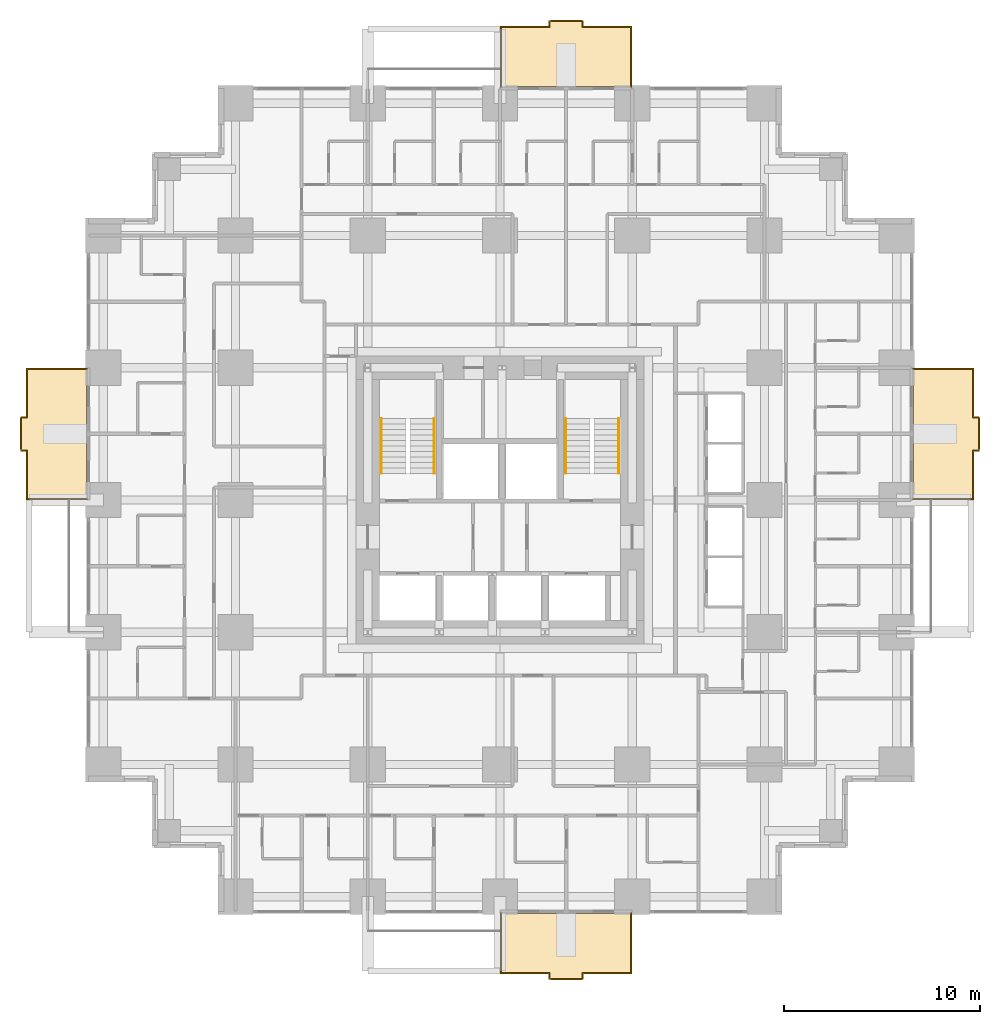
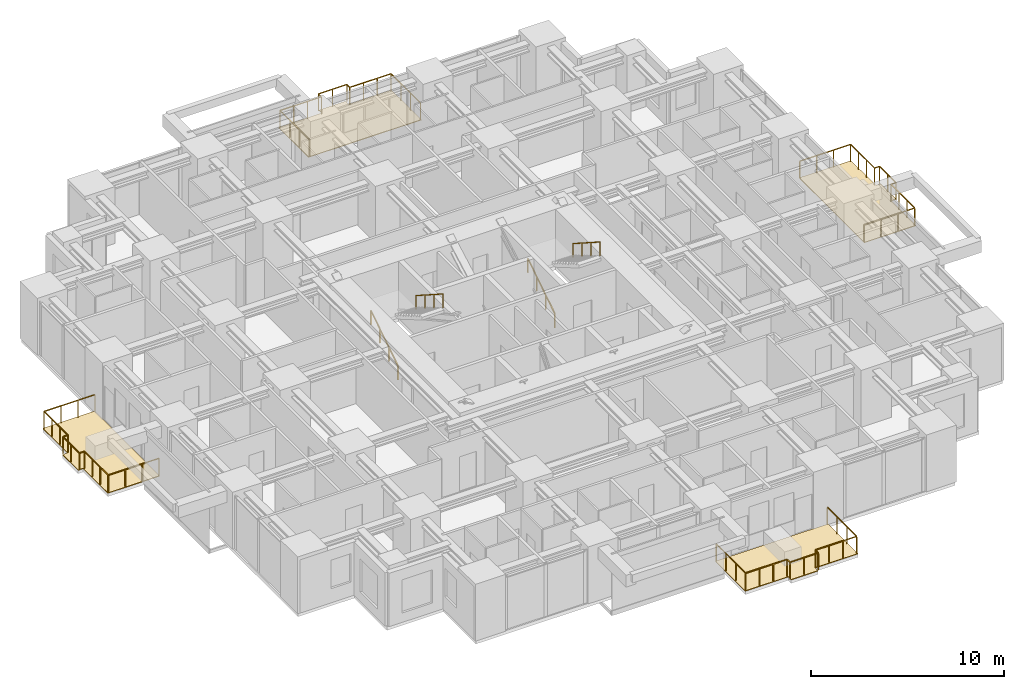
# One storey, part 14 of 14: 8 railings, 4 coverings.
"""IFC4 building model written with IfcOpenShell, lengths in metres."""

from ifc_helpers import new_model, si_unit, direction, frame, origin, origin_2d, place, context, subcontext, project, spatial, polyline, rectangle, outline, extrude, material, layer, layer_set, type_object, element, save


model = new_model("IFC4")

# Units and contexts
model_context = context("Model", 3, precision=1e-05, world=origin(), true_north=direction((0.0, 1.0)))
body_context = subcontext(model_context, "Body", "Model", "MODEL_VIEW")
ifc_project = project(units=[si_unit("LENGTHUNIT", "METRE"), si_unit("AREAUNIT", "SQUARE_METRE"), si_unit("VOLUMEUNIT", "CUBIC_METRE"), si_unit("PLANEANGLEUNIT", "RADIAN"), si_unit("MASSUNIT", "GRAM", prefix="KILO")], contexts=[model_context])

# Site, building, storey
site_placement = place(None, origin())
site = spatial("IfcSite", under=ifc_project, at=site_placement, CompositionType="ELEMENT")
building_placement = place(site_placement, origin())
building = spatial("IfcBuilding", under=site, at=building_placement, Name="Nyansa Garden Tower", CompositionType="ELEMENT")
storey_placement = place(building_placement, frame((0.0, 0.0, 50.39990234375)))
storey = spatial("IfcBuildingStorey", under=building, at=storey_placement, Name="L13", CompositionType="ELEMENT", Elevation=50.39990234375)

# Coverings
ifc_material_1 = material(Name="Hardwood decking on pedestals", Category="wood")
ifc_layer = layer(ifc_material_1, 0.0400390625)
ifc_layer_set = layer_set([ifc_layer], Name="Balcony decking DK40")
covering_type = type_object("IfcCoveringType", Name="Balcony decking DK40", PredefinedType="FLOORING", material=ifc_layer_set)
covering_1_placement = place(storey_placement, frame((0.0, 0.0, -0.039794921875)))
element("IfcCovering", 1, at=covering_1_placement, inside=storey, type_object=covering_type, Name="Balcony decking L13", PredefinedType="FLOORING", context=body_context, shape_type="SweptSolid", body=[
    extrude(outline(polyline([(20.25, -0.85009765625), (27.0, -0.85009765625), (27.0, -3.949951171875), (24.425048828125, -3.949951171875), (24.425048828125, -4.25), (22.824951171875, -4.25), (22.824951171875, -3.949951171875), (20.25, -3.949951171875), (20.25, -0.85009765625)])), origin(), (0.0, 0.0, 1.0), 0.039794921875),
])
covering_2_placement = place(storey_placement, frame((0.0, 0.0, -0.039794921875)))
element("IfcCovering", 2, at=covering_2_placement, inside=storey, type_object=covering_type, Name="Balcony decking L13", PredefinedType="FLOORING", context=body_context, shape_type="SweptSolid", body=[
    extrude(outline(polyline([(41.35009765625, 20.25), (41.35009765625, 27.0), (44.449951171875, 27.0), (44.449951171875, 24.425048828125), (44.75, 24.425048828125), (44.75, 22.824951171875), (44.449951171875, 22.824951171875), (44.449951171875, 20.25), (41.35009765625, 20.25)])), origin(), (0.0, 0.0, 1.0), 0.039794921875),
])
covering_3_placement = place(storey_placement, frame((0.0, 0.0, -0.039794921875)))
element("IfcCovering", 3, at=covering_3_placement, inside=storey, type_object=covering_type, Name="Balcony decking L13", PredefinedType="FLOORING", context=body_context, shape_type="SweptSolid", body=[
    extrude(outline(polyline([(20.25, 41.35009765625), (27.0, 41.35009765625), (27.0, 44.449951171875), (24.425048828125, 44.449951171875), (24.425048828125, 44.75), (22.824951171875, 44.75), (22.824951171875, 44.449951171875), (20.25, 44.449951171875), (20.25, 41.35009765625)])), origin(), (0.0, 0.0, 1.0), 0.039794921875),
])
covering_4_placement = place(storey_placement, frame((0.0, 0.0, -0.039794921875)))
element("IfcCovering", 4, at=covering_4_placement, inside=storey, type_object=covering_type, Name="Balcony decking L13", PredefinedType="FLOORING", context=body_context, shape_type="SweptSolid", body=[
    extrude(outline(polyline([(-0.85009765625, 20.25), (-0.85009765625, 27.0), (-3.949951171875, 27.0), (-3.949951171875, 24.425048828125), (-4.25, 24.425048828125), (-4.25, 22.824951171875), (-3.949951171875, 22.824951171875), (-3.949951171875, 20.25), (-0.85009765625, 20.25)])), origin(), (0.0, 0.0, 1.0), 0.039794921875),
])

# Railings
ifc_material_2 = material(Name="Black powder-coated steel balusters, laminated glass infill", Category="steel")
railing_type_1 = type_object("IfcRailingType", Name="Balcony guard G1", PredefinedType="GUARDRAIL", material=ifc_material_2)
railing_1_placement = place(storey_placement, frame((20.300048828125, -0.85009765625, 0.0)))
element("IfcRailing", 5, at=railing_1_placement, inside=storey, type_object=railing_type_1, Name="Balcony guard L13", PredefinedType="GUARDRAIL", context=body_context, shape_type="SweptSolid", body=[
    extrude(rectangle(XDim=0.048095703125, YDim=0.048095703125, at=origin_2d()), frame((0.0, 0.0, 1.076171875), z_axis=(0.0, -1.0, 0.0), x_axis=(1.0, 0.0, 0.0)), (0.0, 0.0, 1.0), 3.0498046875),
    extrude(rectangle(XDim=0.048095703125, YDim=0.048095703125, at=origin_2d()), frame((0.0, -3.0498046875, 1.076171875), z_axis=(1.0, 0.0, 0.0), x_axis=(0.0, 1.0, 0.0)), (0.0, 0.0, 1.0), 2.474853515625),
    extrude(rectangle(XDim=0.048095703125, YDim=0.048095703125, at=origin_2d()), frame((2.474853515625, -3.0498046875, 1.076171875), z_axis=(0.0, -1.0, 0.0), x_axis=(1.0, 0.0, 0.0)), (0.0, 0.0, 1.0), 0.300048828125),
    extrude(rectangle(XDim=0.048095703125, YDim=0.048095703125, at=origin_2d()), frame((2.474853515625, -3.349853515625, 1.076171875), z_axis=(1.0, 0.0, 0.0), x_axis=(0.0, 1.0, 0.0)), (0.0, 0.0, 1.0), 1.7001953125),
    extrude(rectangle(XDim=0.048095703125, YDim=0.048095703125, at=origin_2d()), frame((4.175048828125, -3.349853515625, 1.076171875), z_axis=(0.0, 1.0, 0.0), x_axis=(-1.0, 0.0, 0.0)), (0.0, 0.0, 1.0), 0.300048828125),
    extrude(rectangle(XDim=0.048095703125, YDim=0.048095703125, at=origin_2d()), frame((4.175048828125, -3.0498046875, 1.076171875), z_axis=(1.0, 0.0, 0.0), x_axis=(0.0, 1.0, 0.0)), (0.0, 0.0, 1.0), 2.474853515625),
    extrude(rectangle(XDim=0.048095703125, YDim=0.048095703125, at=origin_2d()), frame((6.64990234375, -3.0498046875, 1.076171875), z_axis=(0.0, 1.0, 0.0), x_axis=(-1.0, 0.0, 0.0)), (0.0, 0.0, 1.0), 3.0498046875),
    extrude(rectangle(XDim=0.0419921875, YDim=0.0419921875, at=origin_2d()), origin(), (0.0, 0.0, 1.0), 1.052001953125),
    extrude(rectangle(XDim=0.0419921875, YDim=0.0419921875, at=origin_2d()), frame((0.0, -1.0166015625, 0.0)), (0.0, 0.0, 1.0), 1.052001953125),
    extrude(rectangle(XDim=0.0419921875, YDim=0.0419921875, at=origin_2d()), frame((0.0, -2.033203125, 0.0)), (0.0, 0.0, 1.0), 1.052001953125),
    extrude(rectangle(XDim=0.0419921875, YDim=0.0419921875, at=origin_2d()), frame((0.0, -3.0498046875, 0.0)), (0.0, 0.0, 1.0), 1.052001953125),
    extrude(rectangle(XDim=0.0419921875, YDim=0.0419921875, at=origin_2d()), frame((0.824951171875, -3.0498046875, 0.0)), (0.0, 0.0, 1.0), 1.052001953125),
    extrude(rectangle(XDim=0.0419921875, YDim=0.0419921875, at=origin_2d()), frame((1.64990234375, -3.0498046875, 0.0)), (0.0, 0.0, 1.0), 1.052001953125),
    extrude(rectangle(XDim=0.0419921875, YDim=0.0419921875, at=origin_2d()), frame((2.474853515625, -3.0498046875, 0.0)), (0.0, 0.0, 1.0), 1.052001953125),
    extrude(rectangle(XDim=0.0419921875, YDim=0.0419921875, at=origin_2d()), frame((2.474853515625, -3.349853515625, 0.0)), (0.0, 0.0, 1.0), 1.052001953125),
    extrude(rectangle(XDim=0.0419921875, YDim=0.0419921875, at=origin_2d()), frame((3.324951171875, -3.349853515625, 0.0)), (0.0, 0.0, 1.0), 1.052001953125),
    extrude(rectangle(XDim=0.0419921875, YDim=0.0419921875, at=origin_2d()), frame((4.175048828125, -3.349853515625, 0.0)), (0.0, 0.0, 1.0), 1.052001953125),
    extrude(rectangle(XDim=0.0419921875, YDim=0.0419921875, at=origin_2d()), frame((4.175048828125, -3.0498046875, 0.0)), (0.0, 0.0, 1.0), 1.052001953125),
    extrude(rectangle(XDim=0.0419921875, YDim=0.0419921875, at=origin_2d()), frame((5.0, -3.0498046875, 0.0)), (0.0, 0.0, 1.0), 1.052001953125),
    extrude(rectangle(XDim=0.0419921875, YDim=0.0419921875, at=origin_2d()), frame((5.824951171875, -3.0498046875, 0.0)), (0.0, 0.0, 1.0), 1.052001953125),
    extrude(rectangle(XDim=0.0419921875, YDim=0.0419921875, at=origin_2d()), frame((6.64990234375, -3.0498046875, 0.0)), (0.0, 0.0, 1.0), 1.052001953125),
    extrude(rectangle(XDim=0.0419921875, YDim=0.0419921875, at=origin_2d()), frame((6.64990234375, -2.033203125, 0.0)), (0.0, 0.0, 1.0), 1.052001953125),
    extrude(rectangle(XDim=0.0419921875, YDim=0.0419921875, at=origin_2d()), frame((6.64990234375, -1.0166015625, 0.0)), (0.0, 0.0, 1.0), 1.052001953125),
    extrude(rectangle(XDim=0.0419921875, YDim=0.0419921875, at=origin_2d()), frame((6.64990234375, 0.0, 0.0)), (0.0, 0.0, 1.0), 1.052001953125),
])
railing_2_placement = place(storey_placement, frame((41.35009765625, 20.300048828125, 0.0)))
element("IfcRailing", 6, at=railing_2_placement, inside=storey, type_object=railing_type_1, Name="Balcony guard L13", PredefinedType="GUARDRAIL", context=body_context, shape_type="SweptSolid", body=[
    extrude(rectangle(XDim=0.048095703125, YDim=0.048095703125, at=origin_2d()), frame((0.0, 0.0, 1.076171875), z_axis=(1.0, 0.0, 0.0), x_axis=(0.0, 1.0, 0.0)), (0.0, 0.0, 1.0), 3.0498046875),
    extrude(rectangle(XDim=0.048095703125, YDim=0.048095703125, at=origin_2d()), frame((3.0498046875, 0.0, 1.076171875), z_axis=(0.0, 1.0, 0.0), x_axis=(-1.0, 0.0, 0.0)), (0.0, 0.0, 1.0), 2.474853515625),
    extrude(rectangle(XDim=0.048095703125, YDim=0.048095703125, at=origin_2d()), frame((3.0498046875, 2.474853515625, 1.076171875), z_axis=(1.0, 0.0, 0.0), x_axis=(0.0, 1.0, 0.0)), (0.0, 0.0, 1.0), 0.300048828125),
    extrude(rectangle(XDim=0.048095703125, YDim=0.048095703125, at=origin_2d()), frame((3.349853515625, 2.474853515625, 1.076171875), z_axis=(0.0, 1.0, 0.0), x_axis=(-1.0, 0.0, 0.0)), (0.0, 0.0, 1.0), 1.7001953125),
    extrude(rectangle(XDim=0.048095703125, YDim=0.048095703125, at=origin_2d()), frame((3.349853515625, 4.175048828125, 1.076171875), z_axis=(-1.0, 0.0, 0.0), x_axis=(0.0, -1.0, 0.0)), (0.0, 0.0, 1.0), 0.300048828125),
    extrude(rectangle(XDim=0.048095703125, YDim=0.048095703125, at=origin_2d()), frame((3.0498046875, 4.175048828125, 1.076171875), z_axis=(0.0, 1.0, 0.0), x_axis=(-1.0, 0.0, 0.0)), (0.0, 0.0, 1.0), 2.474853515625),
    extrude(rectangle(XDim=0.048095703125, YDim=0.048095703125, at=origin_2d()), frame((3.0498046875, 6.64990234375, 1.076171875), z_axis=(-1.0, 0.0, 0.0), x_axis=(0.0, -1.0, 0.0)), (0.0, 0.0, 1.0), 3.0498046875),
    extrude(rectangle(XDim=0.0419921875, YDim=0.0419921875, at=origin_2d()), origin(), (0.0, 0.0, 1.0), 1.052001953125),
    extrude(rectangle(XDim=0.0419921875, YDim=0.0419921875, at=origin_2d()), frame((1.0166015625, 0.0, 0.0)), (0.0, 0.0, 1.0), 1.052001953125),
    extrude(rectangle(XDim=0.0419921875, YDim=0.0419921875, at=origin_2d()), frame((2.033203125, 0.0, 0.0)), (0.0, 0.0, 1.0), 1.052001953125),
    extrude(rectangle(XDim=0.0419921875, YDim=0.0419921875, at=origin_2d()), frame((3.0498046875, 0.0, 0.0)), (0.0, 0.0, 1.0), 1.052001953125),
    extrude(rectangle(XDim=0.0419921875, YDim=0.0419921875, at=origin_2d()), frame((3.0498046875, 0.824951171875, 0.0)), (0.0, 0.0, 1.0), 1.052001953125),
    extrude(rectangle(XDim=0.0419921875, YDim=0.0419921875, at=origin_2d()), frame((3.0498046875, 1.64990234375, 0.0)), (0.0, 0.0, 1.0), 1.052001953125),
    extrude(rectangle(XDim=0.0419921875, YDim=0.0419921875, at=origin_2d()), frame((3.0498046875, 2.474853515625, 0.0)), (0.0, 0.0, 1.0), 1.052001953125),
    extrude(rectangle(XDim=0.0419921875, YDim=0.0419921875, at=origin_2d()), frame((3.349853515625, 2.474853515625, 0.0)), (0.0, 0.0, 1.0), 1.052001953125),
    extrude(rectangle(XDim=0.0419921875, YDim=0.0419921875, at=origin_2d()), frame((3.349853515625, 3.324951171875, 0.0)), (0.0, 0.0, 1.0), 1.052001953125),
    extrude(rectangle(XDim=0.0419921875, YDim=0.0419921875, at=origin_2d()), frame((3.349853515625, 4.175048828125, 0.0)), (0.0, 0.0, 1.0), 1.052001953125),
    extrude(rectangle(XDim=0.0419921875, YDim=0.0419921875, at=origin_2d()), frame((3.0498046875, 4.175048828125, 0.0)), (0.0, 0.0, 1.0), 1.052001953125),
    extrude(rectangle(XDim=0.0419921875, YDim=0.0419921875, at=origin_2d()), frame((3.0498046875, 5.0, 0.0)), (0.0, 0.0, 1.0), 1.052001953125),
    extrude(rectangle(XDim=0.0419921875, YDim=0.0419921875, at=origin_2d()), frame((3.0498046875, 5.824951171875, 0.0)), (0.0, 0.0, 1.0), 1.052001953125),
    extrude(rectangle(XDim=0.0419921875, YDim=0.0419921875, at=origin_2d()), frame((3.0498046875, 6.64990234375, 0.0)), (0.0, 0.0, 1.0), 1.052001953125),
    extrude(rectangle(XDim=0.0419921875, YDim=0.0419921875, at=origin_2d()), frame((2.033203125, 6.64990234375, 0.0)), (0.0, 0.0, 1.0), 1.052001953125),
    extrude(rectangle(XDim=0.0419921875, YDim=0.0419921875, at=origin_2d()), frame((1.0166015625, 6.64990234375, 0.0)), (0.0, 0.0, 1.0), 1.052001953125),
    extrude(rectangle(XDim=0.0419921875, YDim=0.0419921875, at=origin_2d()), frame((0.0, 6.64990234375, 0.0)), (0.0, 0.0, 1.0), 1.052001953125),
])
railing_3_placement = place(storey_placement, frame((20.300048828125, 41.35009765625, 0.0)))
element("IfcRailing", 7, at=railing_3_placement, inside=storey, type_object=railing_type_1, Name="Balcony guard L13", PredefinedType="GUARDRAIL", context=body_context, shape_type="SweptSolid", body=[
    extrude(rectangle(XDim=0.048095703125, YDim=0.048095703125, at=origin_2d()), frame((0.0, 0.0, 1.076171875), z_axis=(0.0, 1.0, 0.0), x_axis=(-1.0, 0.0, 0.0)), (0.0, 0.0, 1.0), 3.0498046875),
    extrude(rectangle(XDim=0.048095703125, YDim=0.048095703125, at=origin_2d()), frame((0.0, 3.0498046875, 1.076171875), z_axis=(1.0, 0.0, 0.0), x_axis=(0.0, 1.0, 0.0)), (0.0, 0.0, 1.0), 2.474853515625),
    extrude(rectangle(XDim=0.048095703125, YDim=0.048095703125, at=origin_2d()), frame((2.474853515625, 3.0498046875, 1.076171875), z_axis=(0.0, 1.0, 0.0), x_axis=(-1.0, 0.0, 0.0)), (0.0, 0.0, 1.0), 0.300048828125),
    extrude(rectangle(XDim=0.048095703125, YDim=0.048095703125, at=origin_2d()), frame((2.474853515625, 3.349853515625, 1.076171875), z_axis=(1.0, 0.0, 0.0), x_axis=(0.0, 1.0, 0.0)), (0.0, 0.0, 1.0), 1.7001953125),
    extrude(rectangle(XDim=0.048095703125, YDim=0.048095703125, at=origin_2d()), frame((4.175048828125, 3.349853515625, 1.076171875), z_axis=(0.0, -1.0, 0.0), x_axis=(1.0, 0.0, 0.0)), (0.0, 0.0, 1.0), 0.300048828125),
    extrude(rectangle(XDim=0.048095703125, YDim=0.048095703125, at=origin_2d()), frame((4.175048828125, 3.0498046875, 1.076171875), z_axis=(1.0, 0.0, 0.0), x_axis=(0.0, 1.0, 0.0)), (0.0, 0.0, 1.0), 2.474853515625),
    extrude(rectangle(XDim=0.048095703125, YDim=0.048095703125, at=origin_2d()), frame((6.64990234375, 3.0498046875, 1.076171875), z_axis=(0.0, -1.0, 0.0), x_axis=(1.0, 0.0, 0.0)), (0.0, 0.0, 1.0), 3.0498046875),
    extrude(rectangle(XDim=0.0419921875, YDim=0.0419921875, at=origin_2d()), origin(), (0.0, 0.0, 1.0), 1.052001953125),
    extrude(rectangle(XDim=0.0419921875, YDim=0.0419921875, at=origin_2d()), frame((0.0, 1.0166015625, 0.0)), (0.0, 0.0, 1.0), 1.052001953125),
    extrude(rectangle(XDim=0.0419921875, YDim=0.0419921875, at=origin_2d()), frame((0.0, 2.033203125, 0.0)), (0.0, 0.0, 1.0), 1.052001953125),
    extrude(rectangle(XDim=0.0419921875, YDim=0.0419921875, at=origin_2d()), frame((0.0, 3.0498046875, 0.0)), (0.0, 0.0, 1.0), 1.052001953125),
    extrude(rectangle(XDim=0.0419921875, YDim=0.0419921875, at=origin_2d()), frame((0.824951171875, 3.0498046875, 0.0)), (0.0, 0.0, 1.0), 1.052001953125),
    extrude(rectangle(XDim=0.0419921875, YDim=0.0419921875, at=origin_2d()), frame((1.64990234375, 3.0498046875, 0.0)), (0.0, 0.0, 1.0), 1.052001953125),
    extrude(rectangle(XDim=0.0419921875, YDim=0.0419921875, at=origin_2d()), frame((2.474853515625, 3.0498046875, 0.0)), (0.0, 0.0, 1.0), 1.052001953125),
    extrude(rectangle(XDim=0.0419921875, YDim=0.0419921875, at=origin_2d()), frame((2.474853515625, 3.349853515625, 0.0)), (0.0, 0.0, 1.0), 1.052001953125),
    extrude(rectangle(XDim=0.0419921875, YDim=0.0419921875, at=origin_2d()), frame((3.324951171875, 3.349853515625, 0.0)), (0.0, 0.0, 1.0), 1.052001953125),
    extrude(rectangle(XDim=0.0419921875, YDim=0.0419921875, at=origin_2d()), frame((4.175048828125, 3.349853515625, 0.0)), (0.0, 0.0, 1.0), 1.052001953125),
    extrude(rectangle(XDim=0.0419921875, YDim=0.0419921875, at=origin_2d()), frame((4.175048828125, 3.0498046875, 0.0)), (0.0, 0.0, 1.0), 1.052001953125),
    extrude(rectangle(XDim=0.0419921875, YDim=0.0419921875, at=origin_2d()), frame((5.0, 3.0498046875, 0.0)), (0.0, 0.0, 1.0), 1.052001953125),
    extrude(rectangle(XDim=0.0419921875, YDim=0.0419921875, at=origin_2d()), frame((5.824951171875, 3.0498046875, 0.0)), (0.0, 0.0, 1.0), 1.052001953125),
    extrude(rectangle(XDim=0.0419921875, YDim=0.0419921875, at=origin_2d()), frame((6.64990234375, 3.0498046875, 0.0)), (0.0, 0.0, 1.0), 1.052001953125),
    extrude(rectangle(XDim=0.0419921875, YDim=0.0419921875, at=origin_2d()), frame((6.64990234375, 2.033203125, 0.0)), (0.0, 0.0, 1.0), 1.052001953125),
    extrude(rectangle(XDim=0.0419921875, YDim=0.0419921875, at=origin_2d()), frame((6.64990234375, 1.0166015625, 0.0)), (0.0, 0.0, 1.0), 1.052001953125),
    extrude(rectangle(XDim=0.0419921875, YDim=0.0419921875, at=origin_2d()), frame((6.64990234375, 0.0, 0.0)), (0.0, 0.0, 1.0), 1.052001953125),
])
railing_4_placement = place(storey_placement, frame((-0.85009765625, 20.300048828125, 0.0)))
element("IfcRailing", 8, at=railing_4_placement, inside=storey, type_object=railing_type_1, Name="Balcony guard L13", PredefinedType="GUARDRAIL", context=body_context, shape_type="SweptSolid", body=[
    extrude(rectangle(XDim=0.048095703125, YDim=0.048095703125, at=origin_2d()), frame((0.0, 0.0, 1.076171875), z_axis=(-1.0, 0.0, 0.0), x_axis=(0.0, -1.0, 0.0)), (0.0, 0.0, 1.0), 3.0498046875),
    extrude(rectangle(XDim=0.048095703125, YDim=0.048095703125, at=origin_2d()), frame((-3.0498046875, 0.0, 1.076171875), z_axis=(0.0, 1.0, 0.0), x_axis=(-1.0, 0.0, 0.0)), (0.0, 0.0, 1.0), 2.474853515625),
    extrude(rectangle(XDim=0.048095703125, YDim=0.048095703125, at=origin_2d()), frame((-3.0498046875, 2.474853515625, 1.076171875), z_axis=(-1.0, 0.0, 0.0), x_axis=(0.0, -1.0, 0.0)), (0.0, 0.0, 1.0), 0.300048828125),
    extrude(rectangle(XDim=0.048095703125, YDim=0.048095703125, at=origin_2d()), frame((-3.349853515625, 2.474853515625, 1.076171875), z_axis=(0.0, 1.0, 0.0), x_axis=(-1.0, 0.0, 0.0)), (0.0, 0.0, 1.0), 1.7001953125),
    extrude(rectangle(XDim=0.048095703125, YDim=0.048095703125, at=origin_2d()), frame((-3.349853515625, 4.175048828125, 1.076171875), z_axis=(1.0, 0.0, 0.0), x_axis=(0.0, 1.0, 0.0)), (0.0, 0.0, 1.0), 0.300048828125),
    extrude(rectangle(XDim=0.048095703125, YDim=0.048095703125, at=origin_2d()), frame((-3.0498046875, 4.175048828125, 1.076171875), z_axis=(0.0, 1.0, 0.0), x_axis=(-1.0, 0.0, 0.0)), (0.0, 0.0, 1.0), 2.474853515625),
    extrude(rectangle(XDim=0.048095703125, YDim=0.048095703125, at=origin_2d()), frame((-3.0498046875, 6.64990234375, 1.076171875), z_axis=(1.0, 0.0, 0.0), x_axis=(0.0, 1.0, 0.0)), (0.0, 0.0, 1.0), 3.0498046875),
    extrude(rectangle(XDim=0.0419921875, YDim=0.0419921875, at=origin_2d()), origin(), (0.0, 0.0, 1.0), 1.052001953125),
    extrude(rectangle(XDim=0.0419921875, YDim=0.0419921875, at=origin_2d()), frame((-1.0166015625, 0.0, 0.0)), (0.0, 0.0, 1.0), 1.052001953125),
    extrude(rectangle(XDim=0.0419921875, YDim=0.0419921875, at=origin_2d()), frame((-2.033203125, 0.0, 0.0)), (0.0, 0.0, 1.0), 1.052001953125),
    extrude(rectangle(XDim=0.0419921875, YDim=0.0419921875, at=origin_2d()), frame((-3.0498046875, 0.0, 0.0)), (0.0, 0.0, 1.0), 1.052001953125),
    extrude(rectangle(XDim=0.0419921875, YDim=0.0419921875, at=origin_2d()), frame((-3.0498046875, 0.824951171875, 0.0)), (0.0, 0.0, 1.0), 1.052001953125),
    extrude(rectangle(XDim=0.0419921875, YDim=0.0419921875, at=origin_2d()), frame((-3.0498046875, 1.64990234375, 0.0)), (0.0, 0.0, 1.0), 1.052001953125),
    extrude(rectangle(XDim=0.0419921875, YDim=0.0419921875, at=origin_2d()), frame((-3.0498046875, 2.474853515625, 0.0)), (0.0, 0.0, 1.0), 1.052001953125),
    extrude(rectangle(XDim=0.0419921875, YDim=0.0419921875, at=origin_2d()), frame((-3.349853515625, 2.474853515625, 0.0)), (0.0, 0.0, 1.0), 1.052001953125),
    extrude(rectangle(XDim=0.0419921875, YDim=0.0419921875, at=origin_2d()), frame((-3.349853515625, 3.324951171875, 0.0)), (0.0, 0.0, 1.0), 1.052001953125),
    extrude(rectangle(XDim=0.0419921875, YDim=0.0419921875, at=origin_2d()), frame((-3.349853515625, 4.175048828125, 0.0)), (0.0, 0.0, 1.0), 1.052001953125),
    extrude(rectangle(XDim=0.0419921875, YDim=0.0419921875, at=origin_2d()), frame((-3.0498046875, 4.175048828125, 0.0)), (0.0, 0.0, 1.0), 1.052001953125),
    extrude(rectangle(XDim=0.0419921875, YDim=0.0419921875, at=origin_2d()), frame((-3.0498046875, 5.0, 0.0)), (0.0, 0.0, 1.0), 1.052001953125),
    extrude(rectangle(XDim=0.0419921875, YDim=0.0419921875, at=origin_2d()), frame((-3.0498046875, 5.824951171875, 0.0)), (0.0, 0.0, 1.0), 1.052001953125),
    extrude(rectangle(XDim=0.0419921875, YDim=0.0419921875, at=origin_2d()), frame((-3.0498046875, 6.64990234375, 0.0)), (0.0, 0.0, 1.0), 1.052001953125),
    extrude(rectangle(XDim=0.0419921875, YDim=0.0419921875, at=origin_2d()), frame((-2.033203125, 6.64990234375, 0.0)), (0.0, 0.0, 1.0), 1.052001953125),
    extrude(rectangle(XDim=0.0419921875, YDim=0.0419921875, at=origin_2d()), frame((-1.0166015625, 6.64990234375, 0.0)), (0.0, 0.0, 1.0), 1.052001953125),
    extrude(rectangle(XDim=0.0419921875, YDim=0.0419921875, at=origin_2d()), frame((0.0, 6.64990234375, 0.0)), (0.0, 0.0, 1.0), 1.052001953125),
])
ifc_material_3 = material(Name="Black powder-coated steel tube 48 mm", Category="steel")
railing_type_2 = type_object("IfcRailingType", Name="Stair handrail HR1", PredefinedType="HANDRAIL", material=ifc_material_3)
railing_5_placement = place(storey_placement, frame((14.199951171875, 21.60009765625, 0.0)))
element("IfcRailing", 9, at=railing_5_placement, inside=storey, type_object=railing_type_2, Name="Stair S1 handrail L13", PredefinedType="HANDRAIL", context=body_context, shape_type="SweptSolid", body=[
    extrude(rectangle(XDim=0.048095703125, YDim=0.048095703125, at=origin_2d()), frame((0.0, 0.0, 0.8759765625), z_axis=(0.0, 0.841154643086, 0.54079466197), x_axis=(-1.0, 0.0, 0.0)), (0.0, 0.0, 1.0), 3.32861328125),
    extrude(rectangle(XDim=0.0419921875, YDim=0.0419921875, at=origin_2d()), origin(), (0.0, 0.0, 1.0), 0.851806640625),
    extrude(rectangle(XDim=0.0419921875, YDim=0.0419921875, at=origin_2d()), frame((0.0, 0.933349609375, 0.60009765625)), (0.0, 0.0, 1.0), 0.851806640625),
    extrude(rectangle(XDim=0.0419921875, YDim=0.0419921875, at=origin_2d()), frame((0.0, 1.866455078125, 1.199951171875)), (0.0, 0.0, 1.0), 0.851806640625),
    extrude(rectangle(XDim=0.0419921875, YDim=0.0419921875, at=origin_2d()), frame((0.0, 2.7998046875, 1.800048828125)), (0.0, 0.0, 1.0), 0.851806640625),
])
railing_6_placement = place(storey_placement, frame((16.89990234375, 24.39990234375, 1.800048828125)))
element("IfcRailing", 10, at=railing_6_placement, inside=storey, type_object=railing_type_2, Name="Stair S1 handrail L13", PredefinedType="HANDRAIL", context=body_context, shape_type="SweptSolid", body=[
    extrude(rectangle(XDim=0.048095703125, YDim=0.048095703125, at=origin_2d()), frame((0.0, 0.0, 0.8759765625), z_axis=(0.0, -0.841154643086, 0.54079466197), x_axis=(1.0, 0.0, 0.0)), (0.0, 0.0, 1.0), 3.32861328125),
    extrude(rectangle(XDim=0.0419921875, YDim=0.0419921875, at=origin_2d()), origin(), (0.0, 0.0, 1.0), 0.851806640625),
    extrude(rectangle(XDim=0.0419921875, YDim=0.0419921875, at=origin_2d()), frame((0.0, -0.933349609375, 0.60009765625)), (0.0, 0.0, 1.0), 0.851806640625),
    extrude(rectangle(XDim=0.0419921875, YDim=0.0419921875, at=origin_2d()), frame((0.0, -1.866455078125, 1.199951171875)), (0.0, 0.0, 1.0), 0.851806640625),
    extrude(rectangle(XDim=0.0419921875, YDim=0.0419921875, at=origin_2d()), frame((0.0, -2.7998046875, 1.800048828125)), (0.0, 0.0, 1.0), 0.851806640625),
])
railing_7_placement = place(storey_placement, frame((23.60009765625, 21.60009765625, 0.0)))
element("IfcRailing", 11, at=railing_7_placement, inside=storey, type_object=railing_type_2, Name="Stair S2 handrail L13", PredefinedType="HANDRAIL", context=body_context, shape_type="SweptSolid", body=[
    extrude(rectangle(XDim=0.048095703125, YDim=0.048095703125, at=origin_2d()), frame((0.0, 0.0, 0.8759765625), z_axis=(0.0, 0.841154643086, 0.54079466197), x_axis=(-1.0, 0.0, 0.0)), (0.0, 0.0, 1.0), 3.32861328125),
    extrude(rectangle(XDim=0.0419921875, YDim=0.0419921875, at=origin_2d()), origin(), (0.0, 0.0, 1.0), 0.851806640625),
    extrude(rectangle(XDim=0.0419921875, YDim=0.0419921875, at=origin_2d()), frame((0.0, 0.933349609375, 0.60009765625)), (0.0, 0.0, 1.0), 0.851806640625),
    extrude(rectangle(XDim=0.0419921875, YDim=0.0419921875, at=origin_2d()), frame((0.0, 1.866455078125, 1.199951171875)), (0.0, 0.0, 1.0), 0.851806640625),
    extrude(rectangle(XDim=0.0419921875, YDim=0.0419921875, at=origin_2d()), frame((0.0, 2.7998046875, 1.800048828125)), (0.0, 0.0, 1.0), 0.851806640625),
])
railing_8_placement = place(storey_placement, frame((26.300048828125, 24.39990234375, 1.800048828125)))
element("IfcRailing", 12, at=railing_8_placement, inside=storey, type_object=railing_type_2, Name="Stair S2 handrail L13", PredefinedType="HANDRAIL", context=body_context, shape_type="SweptSolid", body=[
    extrude(rectangle(XDim=0.048095703125, YDim=0.048095703125, at=origin_2d()), frame((0.0, 0.0, 0.8759765625), z_axis=(0.0, -0.841154643086, 0.54079466197), x_axis=(1.0, 0.0, 0.0)), (0.0, 0.0, 1.0), 3.32861328125),
    extrude(rectangle(XDim=0.0419921875, YDim=0.0419921875, at=origin_2d()), origin(), (0.0, 0.0, 1.0), 0.851806640625),
    extrude(rectangle(XDim=0.0419921875, YDim=0.0419921875, at=origin_2d()), frame((0.0, -0.933349609375, 0.60009765625)), (0.0, 0.0, 1.0), 0.851806640625),
    extrude(rectangle(XDim=0.0419921875, YDim=0.0419921875, at=origin_2d()), frame((0.0, -1.866455078125, 1.199951171875)), (0.0, 0.0, 1.0), 0.851806640625),
    extrude(rectangle(XDim=0.0419921875, YDim=0.0419921875, at=origin_2d()), frame((0.0, -2.7998046875, 1.800048828125)), (0.0, 0.0, 1.0), 0.851806640625),
])

save(model, "model.ifc")
